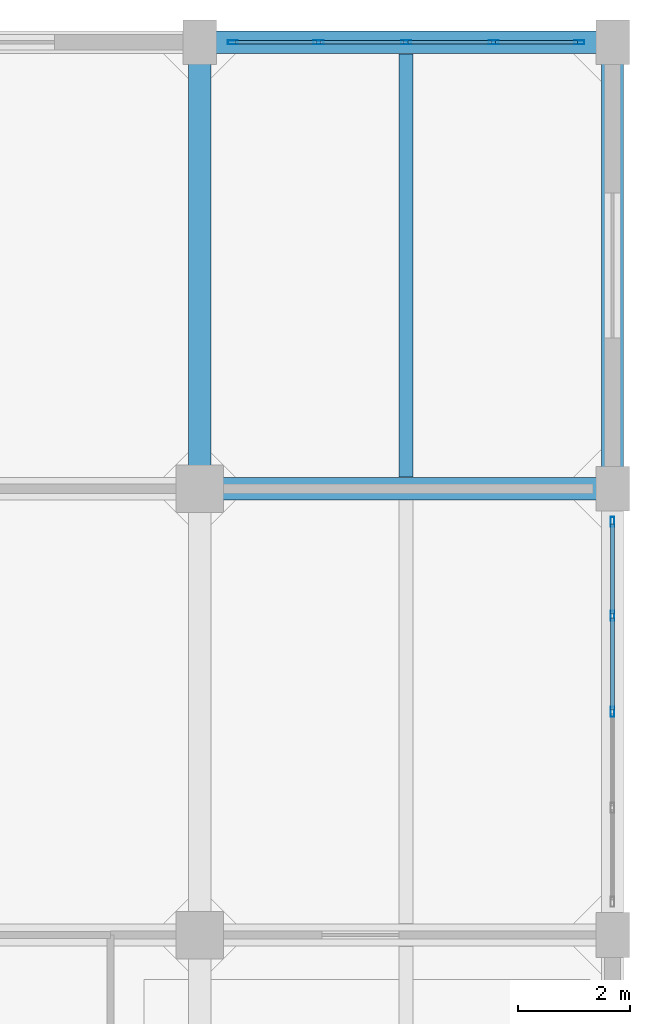
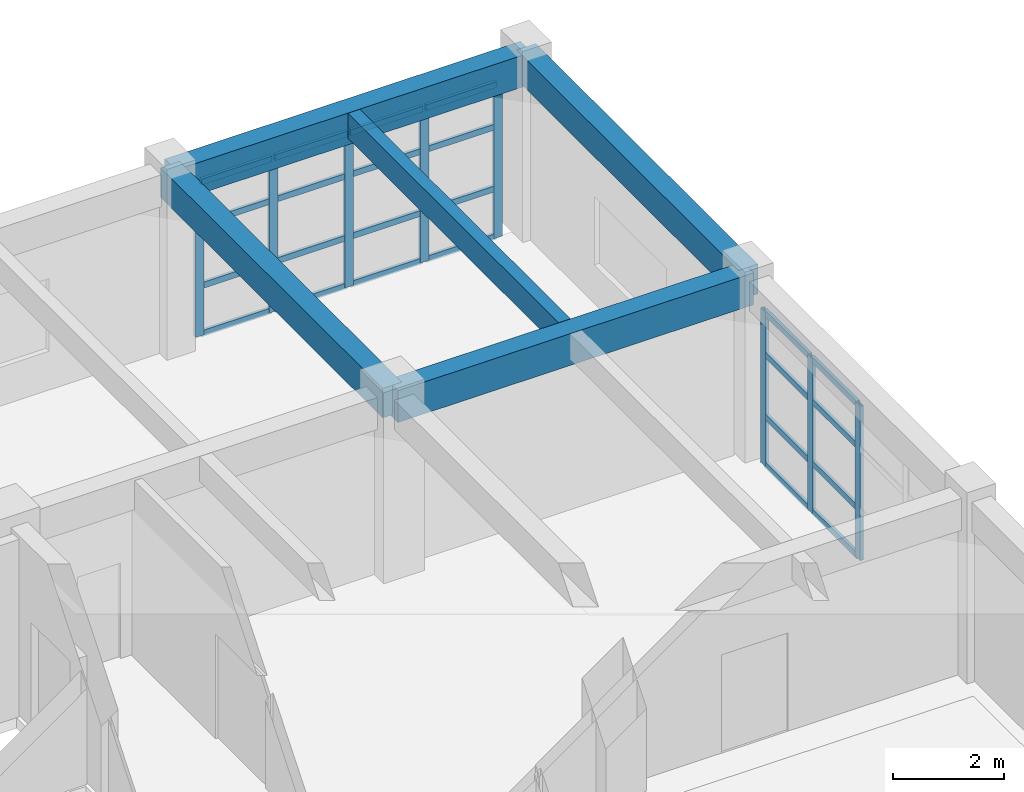
# One storey, part 19 of 30: 32 members, 5 beams, 2 elements without a shape of their own.
"""IFC4 building model written with IfcOpenShell, lengths in metres."""

from ifc_helpers import new_model, si_unit, direction, frame, origin, origin_2d, place, context, subcontext, project, spatial, rectangle, hollow_rectangle, extrude, material, layer, layer_set, material_profile, profile_set, type_object, element, aggregate, save


model = new_model("IFC4")

# Units and contexts
model_context = context("Model", 3, precision=1e-05, world=origin(), true_north=direction((0.0, 1.0)))
body_context = subcontext(model_context, "Body", "Model", "MODEL_VIEW")
ifc_project = project(units=[si_unit("LENGTHUNIT", "METRE"), si_unit("AREAUNIT", "SQUARE_METRE"), si_unit("VOLUMEUNIT", "CUBIC_METRE"), si_unit("PLANEANGLEUNIT", "RADIAN"), si_unit("MASSUNIT", "GRAM", prefix="KILO")], contexts=[model_context])

# Site, building, storey
site_placement = place(None, origin())
site = spatial("IfcSite", under=ifc_project, at=site_placement, CompositionType="ELEMENT")
building_placement = place(site_placement, origin())
building = spatial("IfcBuilding", under=site, at=building_placement, Name="Canggui Botanical Conservatory", CompositionType="ELEMENT")
storey_placement = place(building_placement, frame((0.0, 0.0, 27.60009765625)))
storey = spatial("IfcBuildingStorey", under=building, at=storey_placement, Name="L07", CompositionType="ELEMENT", Elevation=27.60009765625)

# Beams
ifc_material_1 = material(Name="Concrete C35", Category="concrete")
ifc_material_profile_1 = material_profile(ifc_material_1, rectangle(XDim=0.25, YDim=0.550048828125, at=origin_2d()), Name="RB 250x550")
ifc_profile_set_1 = profile_set([ifc_material_profile_1], Name="Concrete C35")
beam_type_1 = type_object("IfcBeamType", Name="BM-JST03", PredefinedType="JOIST", material=ifc_profile_set_1)
beam_placement = place(storey_placement, frame((173.699951171875, 66.205078125, 3.684814453125), z_axis=(0.0, 1.0, 0.0), x_axis=(-1.0, 0.0, 0.0)))
element("IfcBeam", 1, at=beam_placement, inside=storey, type_object=beam_type_1, Name="Secondary Floor Joist L07-5-5", PredefinedType="JOIST", context=body_context, shape_type="SweptSolid", body=[
    extrude(rectangle(XDim=0.25, YDim=0.550048828125, at=origin_2d()), origin(), (0.0, 0.0, 1.0), 7.58984375),
])
ifc_material_profile_2 = material_profile(ifc_material_1, rectangle(XDim=0.39990234375, YDim=0.699951171875, at=origin_2d()), Name="RB 400x700")
ifc_profile_set_2 = profile_set([ifc_material_profile_2], Name="Concrete C35")
beam_type_2 = type_object("IfcBeamType", Name="BM-KL11", PredefinedType="BEAM", material=ifc_profile_set_2)
for number, where, z_axis, x_axis, name in (
    (2, (170.0, 66.0, 3.60986328125), (1.0, 0.0, 0.0), (0.0, 1.0, 0.0), "Frame Girder L07 Y66-5"),
    (3, (170.0, 74.0, 3.60986328125), (1.0, 0.0, 0.0), (0.0, 1.0, 0.0), "Frame Girder L07 Y74-5"),
):
    element("IfcBeam", number, at=place(storey_placement, frame(where, z_axis=z_axis, x_axis=x_axis)), inside=storey, type_object=beam_type_2, Name=name, PredefinedType="BEAM", context=body_context, shape_type="SweptSolid", body=[
        extrude(rectangle(XDim=0.39990234375, YDim=0.699951171875, at=origin_2d()), origin(), (0.0, 0.0, 1.0), 7.39990234375),
    ])
ifc_material_profile_3 = material_profile(ifc_material_1, rectangle(XDim=0.39990234375, YDim=0.64990234375, at=origin_2d()), Name="RB 400x650")
ifc_profile_set_3 = profile_set([ifc_material_profile_3], Name="Concrete C35")
beam_type_3 = type_object("IfcBeamType", Name="BM-KL12", PredefinedType="BEAM", material=ifc_profile_set_3)
for number, where, z_axis, x_axis, name in (
    (4, (170.0, 66.0, 3.635009765625), (0.0, 1.0, 0.0), (-1.0, 0.0, 0.0), "Frame Girder L07 X170-5"),
    (5, (177.39990234375, 66.0, 3.635009765625), (0.0, 1.0, 0.0), (-1.0, 0.0, 0.0), "Frame Girder L07 X178-5"),
):
    element("IfcBeam", number, at=place(storey_placement, frame(where, z_axis=z_axis, x_axis=x_axis)), inside=storey, type_object=beam_type_3, Name=name, PredefinedType="BEAM", context=body_context, shape_type="SweptSolid", body=[
        extrude(rectangle(XDim=0.39990234375, YDim=0.64990234375, at=origin_2d()), origin(), (0.0, 0.0, 1.0), 8.0),
    ])

# Curtain wall, members
ifc_material_2 = material(Name="Thermally Broken Aluminium", Category="aluminium")
ifc_layer = layer(ifc_material_2, 0.179931640625, Name="Thermally Broken Aluminium", Category="aluminium")
ifc_layer_set = layer_set([ifc_layer], Name="Thermally Broken Aluminium")
curtain_wall_type = type_object("IfcCurtainWallType", Name="CW-UNIT-A", PredefinedType="USERDEFINED", material=ifc_layer_set)
curtain_wall_1_placement = place(storey_placement, origin())
curtain_wall_1 = element("IfcCurtainWall", 6, at=curtain_wall_1_placement, inside=storey, type_object=curtain_wall_type, Name="Facade Curtain Wall CW-TWR-L07-15", ObjectType="UNITISED CURTAIN WALL", PredefinedType="USERDEFINED")
ifc_material_profile_4 = material_profile(ifc_material_2, hollow_rectangle(XDim=0.070068359375, YDim=0.179931640625, WallThickness=0.00390625, at=origin_2d()), Name="CWM 70x180x4")
ifc_profile_set_4 = profile_set([ifc_material_profile_4], Name="Thermally Broken Aluminium")
member_type_1 = type_object("IfcMemberType", Name="CWM-01", PredefinedType="MULLION", material=ifc_profile_set_4)
member_1_placement = place(storey_placement, frame((170.594970703125, 74.0, 0.0), z_axis=(0.0, 0.0, 1.0), x_axis=(0.0, 1.0, 0.0)))
member_1 = element("IfcMember", 7, at=member_1_placement, type_object=member_type_1, Name="CW-01 mullion 1", PredefinedType="MULLION", context=body_context, shape_type="SweptSolid", body=[
    extrude(hollow_rectangle(XDim=0.070068359375, YDim=0.179931640625, WallThickness=0.00390625, at=origin_2d()), origin(), (0.0, 0.0, 1.0), 3.39990234375),
])
member_2_placement = place(storey_placement, frame((172.1298828125, 74.0, 0.0), z_axis=(0.0, 0.0, 1.0), x_axis=(0.0, 1.0, 0.0)))
member_2 = element("IfcMember", 8, at=member_2_placement, type_object=member_type_1, Name="CW-01 mullion 2", PredefinedType="MULLION", context=body_context, shape_type="SweptSolid", body=[
    extrude(hollow_rectangle(XDim=0.070068359375, YDim=0.179931640625, WallThickness=0.00390625, at=origin_2d()), origin(), (0.0, 0.0, 1.0), 3.39990234375),
])
member_3_placement = place(storey_placement, frame((173.699951171875, 74.0, 0.0), z_axis=(0.0, 0.0, 1.0), x_axis=(0.0, 1.0, 0.0)))
member_3 = element("IfcMember", 9, at=member_3_placement, type_object=member_type_1, Name="CW-01 mullion 3", PredefinedType="MULLION", context=body_context, shape_type="SweptSolid", body=[
    extrude(hollow_rectangle(XDim=0.070068359375, YDim=0.179931640625, WallThickness=0.00390625, at=origin_2d()), origin(), (0.0, 0.0, 1.0), 3.39990234375),
])
member_4_placement = place(storey_placement, frame((175.27001953125, 74.0, 0.0), z_axis=(0.0, 0.0, 1.0), x_axis=(0.0, 1.0, 0.0)))
member_4 = element("IfcMember", 10, at=member_4_placement, type_object=member_type_1, Name="CW-01 mullion 4", PredefinedType="MULLION", context=body_context, shape_type="SweptSolid", body=[
    extrude(hollow_rectangle(XDim=0.070068359375, YDim=0.179931640625, WallThickness=0.00390625, at=origin_2d()), origin(), (0.0, 0.0, 1.0), 3.39990234375),
])
member_5_placement = place(storey_placement, frame((176.804931640625, 74.0, 0.0), z_axis=(0.0, 0.0, 1.0), x_axis=(0.0, 1.0, 0.0)))
member_5 = element("IfcMember", 11, at=member_5_placement, type_object=member_type_1, Name="CW-01 mullion 5", PredefinedType="MULLION", context=body_context, shape_type="SweptSolid", body=[
    extrude(hollow_rectangle(XDim=0.070068359375, YDim=0.179931640625, WallThickness=0.00390625, at=origin_2d()), origin(), (0.0, 0.0, 1.0), 3.39990234375),
])

curtain_wall_2_placement = place(storey_placement, origin())
curtain_wall_2 = element("IfcCurtainWall", 12, at=curtain_wall_2_placement, inside=storey, type_object=curtain_wall_type, Name="Facade Curtain Wall CW-TWR-L07-17", ObjectType="UNITISED CURTAIN WALL", PredefinedType="USERDEFINED")
member_6_placement = place(storey_placement, frame((177.39990234375, 65.405029296875, 0.0), z_axis=(0.0, 0.0, 1.0), x_axis=(1.0, 0.0, 0.0)))
member_6 = element("IfcMember", 13, at=member_6_placement, type_object=member_type_1, Name="CW-01 mullion 1", PredefinedType="MULLION", context=body_context, shape_type="SweptSolid", body=[
    extrude(hollow_rectangle(XDim=0.070068359375, YDim=0.179931640625, WallThickness=0.00390625, at=origin_2d()), origin(), (0.0, 0.0, 1.0), 3.39990234375),
])
member_7_placement = place(storey_placement, frame((177.39990234375, 63.719970703125, 0.0), z_axis=(0.0, 0.0, 1.0), x_axis=(1.0, 0.0, 0.0)))
member_7 = element("IfcMember", 14, at=member_7_placement, type_object=member_type_1, Name="CW-01 mullion 2", PredefinedType="MULLION", context=body_context, shape_type="SweptSolid", body=[
    extrude(hollow_rectangle(XDim=0.070068359375, YDim=0.179931640625, WallThickness=0.00390625, at=origin_2d()), origin(), (0.0, 0.0, 1.0), 3.39990234375),
])
member_8_placement = place(storey_placement, frame((177.39990234375, 62.0, 0.0), z_axis=(0.0, 0.0, 1.0), x_axis=(1.0, 0.0, 0.0)))
member_8 = element("IfcMember", 15, at=member_8_placement, type_object=member_type_1, Name="CW-01 mullion 3", PredefinedType="MULLION", context=body_context, shape_type="SweptSolid", body=[
    extrude(hollow_rectangle(XDim=0.070068359375, YDim=0.179931640625, WallThickness=0.00390625, at=origin_2d()), origin(), (0.0, 0.0, 1.0), 3.39990234375),
])

# Member
ifc_material_profile_5 = material_profile(ifc_material_2, hollow_rectangle(XDim=0.06494140625, YDim=0.1298828125, WallThickness=0.00341796875, at=origin_2d()), Name="CWT 65x130x3.5")
ifc_profile_set_5 = profile_set([ifc_material_profile_5], Name="Thermally Broken Aluminium")
member_type_2 = type_object("IfcMemberType", Name="CWT-01", PredefinedType="USERDEFINED", material=ifc_profile_set_5)
member_9_placement = place(storey_placement, frame((170.6298828125, 74.0, 0.032470703125), z_axis=(1.0, 0.0, 0.0), x_axis=(0.0, 1.0, 0.0)))
member_9 = element("IfcMember", 16, at=member_9_placement, type_object=member_type_2, Name="CW-01 transom 1.1", ObjectType="TRANSOM", PredefinedType="USERDEFINED", context=body_context, shape_type="SweptSolid", body=[
    extrude(hollow_rectangle(XDim=0.06494140625, YDim=0.1298828125, WallThickness=0.00341796875, at=origin_2d()), origin(), (0.0, 0.0, 1.0), 1.465087890625),
])

member_10_placement = place(storey_placement, frame((170.6298828125, 74.0, 1.087890625), z_axis=(1.0, 0.0, 0.0), x_axis=(0.0, 1.0, 0.0)))
member_10 = element("IfcMember", 17, at=member_10_placement, type_object=member_type_2, Name="CW-01 transom 1.2", ObjectType="TRANSOM", PredefinedType="USERDEFINED", context=body_context, shape_type="SweptSolid", body=[
    extrude(hollow_rectangle(XDim=0.06494140625, YDim=0.1298828125, WallThickness=0.00341796875, at=origin_2d()), origin(), (0.0, 0.0, 1.0), 1.465087890625),
])

member_11_placement = place(storey_placement, frame((170.6298828125, 74.0, 2.447998046875), z_axis=(1.0, 0.0, 0.0), x_axis=(0.0, 1.0, 0.0)))
member_11 = element("IfcMember", 18, at=member_11_placement, type_object=member_type_2, Name="CW-01 transom 1.3", ObjectType="TRANSOM", PredefinedType="USERDEFINED", context=body_context, shape_type="SweptSolid", body=[
    extrude(hollow_rectangle(XDim=0.06494140625, YDim=0.1298828125, WallThickness=0.00341796875, at=origin_2d()), origin(), (0.0, 0.0, 1.0), 1.465087890625),
])

member_12_placement = place(storey_placement, frame((170.6298828125, 74.0, 3.367431640625), z_axis=(1.0, 0.0, 0.0), x_axis=(0.0, 1.0, 0.0)))
member_12 = element("IfcMember", 19, at=member_12_placement, type_object=member_type_2, Name="CW-01 transom 1.4", ObjectType="TRANSOM", PredefinedType="USERDEFINED", context=body_context, shape_type="SweptSolid", body=[
    extrude(hollow_rectangle(XDim=0.06494140625, YDim=0.1298828125, WallThickness=0.00341796875, at=origin_2d()), origin(), (0.0, 0.0, 1.0), 1.465087890625),
])

member_13_placement = place(storey_placement, frame((172.1650390625, 74.0, 0.032470703125), z_axis=(1.0, 0.0, 0.0), x_axis=(0.0, 1.0, 0.0)))
member_13 = element("IfcMember", 20, at=member_13_placement, type_object=member_type_2, Name="CW-01 transom 2.1", ObjectType="TRANSOM", PredefinedType="USERDEFINED", context=body_context, shape_type="SweptSolid", body=[
    extrude(hollow_rectangle(XDim=0.06494140625, YDim=0.1298828125, WallThickness=0.00341796875, at=origin_2d()), origin(), (0.0, 0.0, 1.0), 1.5),
])

member_14_placement = place(storey_placement, frame((172.1650390625, 74.0, 1.087890625), z_axis=(1.0, 0.0, 0.0), x_axis=(0.0, 1.0, 0.0)))
member_14 = element("IfcMember", 21, at=member_14_placement, type_object=member_type_2, Name="CW-01 transom 2.2", ObjectType="TRANSOM", PredefinedType="USERDEFINED", context=body_context, shape_type="SweptSolid", body=[
    extrude(hollow_rectangle(XDim=0.06494140625, YDim=0.1298828125, WallThickness=0.00341796875, at=origin_2d()), origin(), (0.0, 0.0, 1.0), 1.5),
])

member_15_placement = place(storey_placement, frame((172.1650390625, 74.0, 2.447998046875), z_axis=(1.0, 0.0, 0.0), x_axis=(0.0, 1.0, 0.0)))
member_15 = element("IfcMember", 22, at=member_15_placement, type_object=member_type_2, Name="CW-01 transom 2.3", ObjectType="TRANSOM", PredefinedType="USERDEFINED", context=body_context, shape_type="SweptSolid", body=[
    extrude(hollow_rectangle(XDim=0.06494140625, YDim=0.1298828125, WallThickness=0.00341796875, at=origin_2d()), origin(), (0.0, 0.0, 1.0), 1.5),
])

member_16_placement = place(storey_placement, frame((172.1650390625, 74.0, 3.367431640625), z_axis=(1.0, 0.0, 0.0), x_axis=(0.0, 1.0, 0.0)))
member_16 = element("IfcMember", 23, at=member_16_placement, type_object=member_type_2, Name="CW-01 transom 2.4", ObjectType="TRANSOM", PredefinedType="USERDEFINED", context=body_context, shape_type="SweptSolid", body=[
    extrude(hollow_rectangle(XDim=0.06494140625, YDim=0.1298828125, WallThickness=0.00341796875, at=origin_2d()), origin(), (0.0, 0.0, 1.0), 1.5),
])

member_17_placement = place(storey_placement, frame((173.735107421875, 74.0, 0.032470703125), z_axis=(1.0, 0.0, 0.0), x_axis=(0.0, 1.0, 0.0)))
member_17 = element("IfcMember", 24, at=member_17_placement, type_object=member_type_2, Name="CW-01 transom 3.1", ObjectType="TRANSOM", PredefinedType="USERDEFINED", context=body_context, shape_type="SweptSolid", body=[
    extrude(hollow_rectangle(XDim=0.06494140625, YDim=0.1298828125, WallThickness=0.00341796875, at=origin_2d()), origin(), (0.0, 0.0, 1.0), 1.5),
])

member_18_placement = place(storey_placement, frame((173.735107421875, 74.0, 1.087890625), z_axis=(1.0, 0.0, 0.0), x_axis=(0.0, 1.0, 0.0)))
member_18 = element("IfcMember", 25, at=member_18_placement, type_object=member_type_2, Name="CW-01 transom 3.2", ObjectType="TRANSOM", PredefinedType="USERDEFINED", context=body_context, shape_type="SweptSolid", body=[
    extrude(hollow_rectangle(XDim=0.06494140625, YDim=0.1298828125, WallThickness=0.00341796875, at=origin_2d()), origin(), (0.0, 0.0, 1.0), 1.5),
])

member_19_placement = place(storey_placement, frame((173.735107421875, 74.0, 2.447998046875), z_axis=(1.0, 0.0, 0.0), x_axis=(0.0, 1.0, 0.0)))
member_19 = element("IfcMember", 26, at=member_19_placement, type_object=member_type_2, Name="CW-01 transom 3.3", ObjectType="TRANSOM", PredefinedType="USERDEFINED", context=body_context, shape_type="SweptSolid", body=[
    extrude(hollow_rectangle(XDim=0.06494140625, YDim=0.1298828125, WallThickness=0.00341796875, at=origin_2d()), origin(), (0.0, 0.0, 1.0), 1.5),
])

member_20_placement = place(storey_placement, frame((173.735107421875, 74.0, 3.367431640625), z_axis=(1.0, 0.0, 0.0), x_axis=(0.0, 1.0, 0.0)))
member_20 = element("IfcMember", 27, at=member_20_placement, type_object=member_type_2, Name="CW-01 transom 3.4", ObjectType="TRANSOM", PredefinedType="USERDEFINED", context=body_context, shape_type="SweptSolid", body=[
    extrude(hollow_rectangle(XDim=0.06494140625, YDim=0.1298828125, WallThickness=0.00341796875, at=origin_2d()), origin(), (0.0, 0.0, 1.0), 1.5),
])

member_21_placement = place(storey_placement, frame((175.304931640625, 74.0, 0.032470703125), z_axis=(1.0, 0.0, 0.0), x_axis=(0.0, 1.0, 0.0)))
member_21 = element("IfcMember", 28, at=member_21_placement, type_object=member_type_2, Name="CW-01 transom 4.1", ObjectType="TRANSOM", PredefinedType="USERDEFINED", context=body_context, shape_type="SweptSolid", body=[
    extrude(hollow_rectangle(XDim=0.06494140625, YDim=0.1298828125, WallThickness=0.00341796875, at=origin_2d()), origin(), (0.0, 0.0, 1.0), 1.465087890625),
])

member_22_placement = place(storey_placement, frame((175.304931640625, 74.0, 1.087890625), z_axis=(1.0, 0.0, 0.0), x_axis=(0.0, 1.0, 0.0)))
member_22 = element("IfcMember", 29, at=member_22_placement, type_object=member_type_2, Name="CW-01 transom 4.2", ObjectType="TRANSOM", PredefinedType="USERDEFINED", context=body_context, shape_type="SweptSolid", body=[
    extrude(hollow_rectangle(XDim=0.06494140625, YDim=0.1298828125, WallThickness=0.00341796875, at=origin_2d()), origin(), (0.0, 0.0, 1.0), 1.465087890625),
])

member_23_placement = place(storey_placement, frame((175.304931640625, 74.0, 2.447998046875), z_axis=(1.0, 0.0, 0.0), x_axis=(0.0, 1.0, 0.0)))
member_23 = element("IfcMember", 30, at=member_23_placement, type_object=member_type_2, Name="CW-01 transom 4.3", ObjectType="TRANSOM", PredefinedType="USERDEFINED", context=body_context, shape_type="SweptSolid", body=[
    extrude(hollow_rectangle(XDim=0.06494140625, YDim=0.1298828125, WallThickness=0.00341796875, at=origin_2d()), origin(), (0.0, 0.0, 1.0), 1.465087890625),
])

member_24_placement = place(storey_placement, frame((175.304931640625, 74.0, 3.367431640625), z_axis=(1.0, 0.0, 0.0), x_axis=(0.0, 1.0, 0.0)))
member_24 = element("IfcMember", 31, at=member_24_placement, type_object=member_type_2, Name="CW-01 transom 4.4", ObjectType="TRANSOM", PredefinedType="USERDEFINED", context=body_context, shape_type="SweptSolid", body=[
    extrude(hollow_rectangle(XDim=0.06494140625, YDim=0.1298828125, WallThickness=0.00341796875, at=origin_2d()), origin(), (0.0, 0.0, 1.0), 1.465087890625),
])

aggregate(curtain_wall_1, [member_1, member_2, member_3, member_4, member_5, member_9, member_10, member_11, member_12, member_13, member_14, member_15, member_16, member_17, member_18, member_19, member_20, member_21, member_22, member_23, member_24])

member_25_placement = place(storey_placement, frame((177.39990234375, 65.3701171875, 0.032470703125), z_axis=(0.0, -1.0, 0.0), x_axis=(1.0, 0.0, 0.0)))
member_25 = element("IfcMember", 32, at=member_25_placement, type_object=member_type_2, Name="CW-01 transom 1.1", ObjectType="TRANSOM", PredefinedType="USERDEFINED", context=body_context, shape_type="SweptSolid", body=[
    extrude(hollow_rectangle(XDim=0.06494140625, YDim=0.1298828125, WallThickness=0.00341796875, at=origin_2d()), origin(), (0.0, 0.0, 1.0), 1.615234375),
])

member_26_placement = place(storey_placement, frame((177.39990234375, 65.3701171875, 1.087890625), z_axis=(0.0, -1.0, 0.0), x_axis=(1.0, 0.0, 0.0)))
member_26 = element("IfcMember", 33, at=member_26_placement, type_object=member_type_2, Name="CW-01 transom 1.2", ObjectType="TRANSOM", PredefinedType="USERDEFINED", context=body_context, shape_type="SweptSolid", body=[
    extrude(hollow_rectangle(XDim=0.06494140625, YDim=0.1298828125, WallThickness=0.00341796875, at=origin_2d()), origin(), (0.0, 0.0, 1.0), 1.615234375),
])

member_27_placement = place(storey_placement, frame((177.39990234375, 65.3701171875, 2.447998046875), z_axis=(0.0, -1.0, 0.0), x_axis=(1.0, 0.0, 0.0)))
member_27 = element("IfcMember", 34, at=member_27_placement, type_object=member_type_2, Name="CW-01 transom 1.3", ObjectType="TRANSOM", PredefinedType="USERDEFINED", context=body_context, shape_type="SweptSolid", body=[
    extrude(hollow_rectangle(XDim=0.06494140625, YDim=0.1298828125, WallThickness=0.00341796875, at=origin_2d()), origin(), (0.0, 0.0, 1.0), 1.615234375),
])

member_28_placement = place(storey_placement, frame((177.39990234375, 65.3701171875, 3.367431640625), z_axis=(0.0, -1.0, 0.0), x_axis=(1.0, 0.0, 0.0)))
member_28 = element("IfcMember", 35, at=member_28_placement, type_object=member_type_2, Name="CW-01 transom 1.4", ObjectType="TRANSOM", PredefinedType="USERDEFINED", context=body_context, shape_type="SweptSolid", body=[
    extrude(hollow_rectangle(XDim=0.06494140625, YDim=0.1298828125, WallThickness=0.00341796875, at=origin_2d()), origin(), (0.0, 0.0, 1.0), 1.615234375),
])

member_29_placement = place(storey_placement, frame((177.39990234375, 63.68505859375, 0.032470703125), z_axis=(0.0, -1.0, 0.0), x_axis=(1.0, 0.0, 0.0)))
member_29 = element("IfcMember", 36, at=member_29_placement, type_object=member_type_2, Name="CW-01 transom 2.1", ObjectType="TRANSOM", PredefinedType="USERDEFINED", context=body_context, shape_type="SweptSolid", body=[
    extrude(hollow_rectangle(XDim=0.06494140625, YDim=0.1298828125, WallThickness=0.00341796875, at=origin_2d()), origin(), (0.0, 0.0, 1.0), 1.650146484375),
])

member_30_placement = place(storey_placement, frame((177.39990234375, 63.68505859375, 1.087890625), z_axis=(0.0, -1.0, 0.0), x_axis=(1.0, 0.0, 0.0)))
member_30 = element("IfcMember", 37, at=member_30_placement, type_object=member_type_2, Name="CW-01 transom 2.2", ObjectType="TRANSOM", PredefinedType="USERDEFINED", context=body_context, shape_type="SweptSolid", body=[
    extrude(hollow_rectangle(XDim=0.06494140625, YDim=0.1298828125, WallThickness=0.00341796875, at=origin_2d()), origin(), (0.0, 0.0, 1.0), 1.650146484375),
])

member_31_placement = place(storey_placement, frame((177.39990234375, 63.68505859375, 2.447998046875), z_axis=(0.0, -1.0, 0.0), x_axis=(1.0, 0.0, 0.0)))
member_31 = element("IfcMember", 38, at=member_31_placement, type_object=member_type_2, Name="CW-01 transom 2.3", ObjectType="TRANSOM", PredefinedType="USERDEFINED", context=body_context, shape_type="SweptSolid", body=[
    extrude(hollow_rectangle(XDim=0.06494140625, YDim=0.1298828125, WallThickness=0.00341796875, at=origin_2d()), origin(), (0.0, 0.0, 1.0), 1.650146484375),
])

member_32_placement = place(storey_placement, frame((177.39990234375, 63.68505859375, 3.367431640625), z_axis=(0.0, -1.0, 0.0), x_axis=(1.0, 0.0, 0.0)))
member_32 = element("IfcMember", 39, at=member_32_placement, type_object=member_type_2, Name="CW-01 transom 2.4", ObjectType="TRANSOM", PredefinedType="USERDEFINED", context=body_context, shape_type="SweptSolid", body=[
    extrude(hollow_rectangle(XDim=0.06494140625, YDim=0.1298828125, WallThickness=0.00341796875, at=origin_2d()), origin(), (0.0, 0.0, 1.0), 1.650146484375),
])

aggregate(curtain_wall_2, [member_6, member_7, member_8, member_25, member_26, member_27, member_28, member_29, member_30, member_31, member_32])

save(model, "model.ifc")
